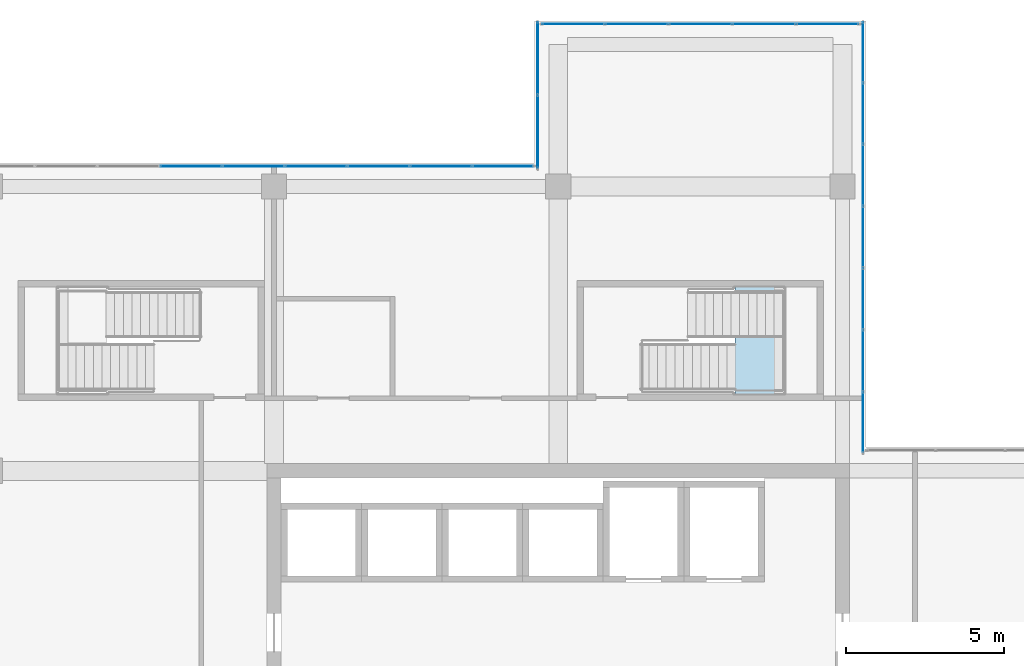
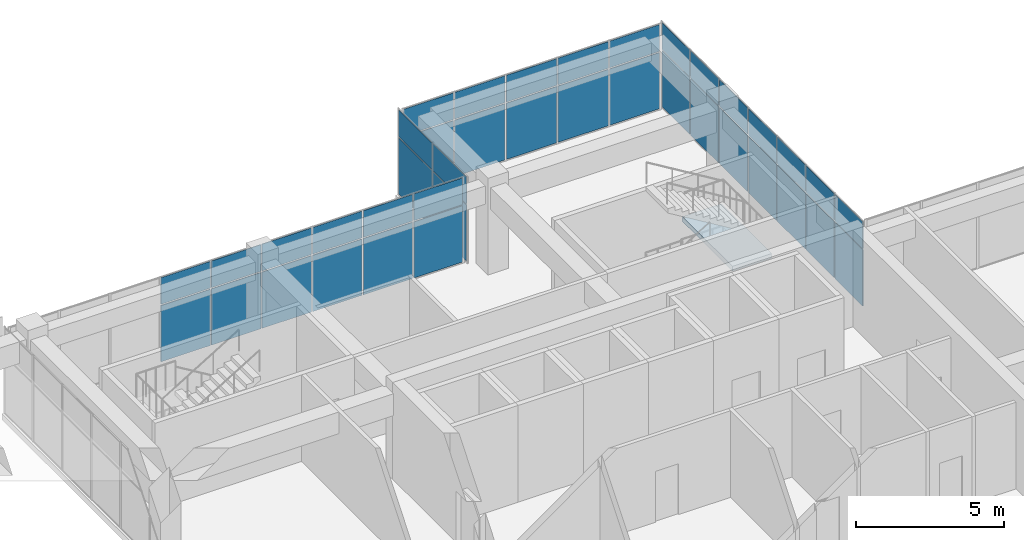
# One storey, part 41 of 52: 40 plates, 1 slab, 5 elements without a shape of their own.
"""IFC4 building model written with IfcOpenShell, lengths in metres."""

from ifc_helpers import new_model, si_unit, direction, frame, origin, origin_2d, place, context, subcontext, project, spatial, polyline, rectangle, outline, extrude, material, layer, layer_set, type_object, element, aggregate, save


model = new_model("IFC4")

# Units and contexts
model_context = context("Model", 3, precision=1e-05, world=origin(), true_north=direction((0.0, 1.0)))
body_context = subcontext(model_context, "Body", "Model", "MODEL_VIEW")
ifc_project = project(units=[si_unit("LENGTHUNIT", "METRE"), si_unit("AREAUNIT", "SQUARE_METRE"), si_unit("VOLUMEUNIT", "CUBIC_METRE"), si_unit("PLANEANGLEUNIT", "RADIAN"), si_unit("MASSUNIT", "GRAM", prefix="KILO")], contexts=[model_context])

# Site, building, storey
site_placement = place(None, origin())
site = spatial("IfcSite", under=ifc_project, at=site_placement, CompositionType="ELEMENT")
building_placement = place(site_placement, origin())
building = spatial("IfcBuilding", under=site, at=building_placement, Name="Tuart Plaza Theatre", CompositionType="ELEMENT")
storey_placement = place(building_placement, frame((0.0, 0.0, 25.5)))
storey = spatial("IfcBuildingStorey", under=building, at=storey_placement, Name="L06", CompositionType="ELEMENT", Elevation=25.5)

# Curtain wall, plates
ifc_material_1 = material(Name="Aluminium and glass", Category="aluminium")
ifc_layer_1 = layer(ifc_material_1, 0.10009765625)
ifc_layer_set_1 = layer_set([ifc_layer_1], Name="CURTAIN WALL 2000 module")
curtain_wall_type = type_object("IfcCurtainWallType", Name="CURTAIN WALL 2000 module", PredefinedType="NOTDEFINED", material=ifc_layer_set_1)
curtain_wall_1_placement = place(storey_placement, origin())
curtain_wall_1 = element("IfcCurtainWall", 1, at=curtain_wall_1_placement, inside=storey, type_object=curtain_wall_type, Name="CW81", PredefinedType="NOTDEFINED")
ifc_material_2 = material(Name="Glass", Category="glass")
ifc_layer_2 = layer(ifc_material_2, 0.028076171875)
ifc_layer_set_2 = layer_set([ifc_layer_2], Name="CURTAIN PANEL double glazed 28")
plate_type = type_object("IfcPlateType", Name="CURTAIN PANEL double glazed 28", PredefinedType="CURTAIN_PANEL", material=ifc_layer_set_2)
plate_1_placement = place(storey_placement, frame((141.64990234375, 84.541015625, 0.0498046875), z_axis=(0.0, 0.0, 1.0), x_axis=(0.0, 1.0, 0.0)))
plate_1 = element("IfcPlate", 2, at=plate_1_placement, type_object=plate_type, Name="CW81 panel 1.1", PredefinedType="CURTAIN_PANEL", context=body_context, shape_type="SweptSolid", body=[
    extrude(rectangle(XDim=1.882080078125, YDim=0.028076171875, at=origin_2d()), origin(), (0.0, 0.0, 1.0), 2.324951171875),
])
plate_2_placement = place(storey_placement, frame((141.64990234375, 84.541015625, 2.425048828125), z_axis=(0.0, 0.0, 1.0), x_axis=(0.0, 1.0, 0.0)))
plate_2 = element("IfcPlate", 3, at=plate_2_placement, type_object=plate_type, Name="CW81 panel 1.2", PredefinedType="CURTAIN_PANEL", context=body_context, shape_type="SweptSolid", body=[
    extrude(rectangle(XDim=1.882080078125, YDim=0.028076171875, at=origin_2d()), origin(), (0.0, 0.0, 1.0), 1.10498046875),
])
plate_3_placement = place(storey_placement, frame((141.64990234375, 86.485595703125, 0.0498046875), z_axis=(0.0, 0.0, 1.0), x_axis=(0.0, 1.0, 0.0)))
plate_3 = element("IfcPlate", 4, at=plate_3_placement, type_object=plate_type, Name="CW81 panel 2.1", PredefinedType="CURTAIN_PANEL", context=body_context, shape_type="SweptSolid", body=[
    extrude(rectangle(XDim=1.9072265625, YDim=0.028076171875, at=origin_2d()), origin(), (0.0, 0.0, 1.0), 2.324951171875),
])
plate_4_placement = place(storey_placement, frame((141.64990234375, 86.485595703125, 2.425048828125), z_axis=(0.0, 0.0, 1.0), x_axis=(0.0, 1.0, 0.0)))
plate_4 = element("IfcPlate", 5, at=plate_4_placement, type_object=plate_type, Name="CW81 panel 2.2", PredefinedType="CURTAIN_PANEL", context=body_context, shape_type="SweptSolid", body=[
    extrude(rectangle(XDim=1.9072265625, YDim=0.028076171875, at=origin_2d()), origin(), (0.0, 0.0, 1.0), 1.10498046875),
])
plate_5_placement = place(storey_placement, frame((141.64990234375, 88.44287109375, 0.0498046875), z_axis=(0.0, 0.0, 1.0), x_axis=(0.0, 1.0, 0.0)))
plate_5 = element("IfcPlate", 6, at=plate_5_placement, type_object=plate_type, Name="CW81 panel 3.1", PredefinedType="CURTAIN_PANEL", context=body_context, shape_type="SweptSolid", body=[
    extrude(rectangle(XDim=1.9072265625, YDim=0.028076171875, at=origin_2d()), origin(), (0.0, 0.0, 1.0), 2.324951171875),
])
plate_6_placement = place(storey_placement, frame((141.64990234375, 88.44287109375, 2.425048828125), z_axis=(0.0, 0.0, 1.0), x_axis=(0.0, 1.0, 0.0)))
plate_6 = element("IfcPlate", 7, at=plate_6_placement, type_object=plate_type, Name="CW81 panel 3.2", PredefinedType="CURTAIN_PANEL", context=body_context, shape_type="SweptSolid", body=[
    extrude(rectangle(XDim=1.9072265625, YDim=0.028076171875, at=origin_2d()), origin(), (0.0, 0.0, 1.0), 1.10498046875),
])
plate_7_placement = place(storey_placement, frame((141.64990234375, 90.39990234375, 0.0498046875), z_axis=(0.0, 0.0, 1.0), x_axis=(0.0, 1.0, 0.0)))
plate_7 = element("IfcPlate", 8, at=plate_7_placement, type_object=plate_type, Name="CW81 panel 4.1", PredefinedType="CURTAIN_PANEL", context=body_context, shape_type="SweptSolid", body=[
    extrude(rectangle(XDim=1.9072265625, YDim=0.028076171875, at=origin_2d()), origin(), (0.0, 0.0, 1.0), 2.324951171875),
])
plate_8_placement = place(storey_placement, frame((141.64990234375, 90.39990234375, 2.425048828125), z_axis=(0.0, 0.0, 1.0), x_axis=(0.0, 1.0, 0.0)))
plate_8 = element("IfcPlate", 9, at=plate_8_placement, type_object=plate_type, Name="CW81 panel 4.2", PredefinedType="CURTAIN_PANEL", context=body_context, shape_type="SweptSolid", body=[
    extrude(rectangle(XDim=1.9072265625, YDim=0.028076171875, at=origin_2d()), origin(), (0.0, 0.0, 1.0), 1.10498046875),
])
plate_9_placement = place(storey_placement, frame((141.64990234375, 92.357177734375, 0.0498046875), z_axis=(0.0, 0.0, 1.0), x_axis=(0.0, 1.0, 0.0)))
plate_9 = element("IfcPlate", 10, at=plate_9_placement, type_object=plate_type, Name="CW81 panel 5.1", PredefinedType="CURTAIN_PANEL", context=body_context, shape_type="SweptSolid", body=[
    extrude(rectangle(XDim=1.9072265625, YDim=0.028076171875, at=origin_2d()), origin(), (0.0, 0.0, 1.0), 2.324951171875),
])
plate_10_placement = place(storey_placement, frame((141.64990234375, 92.357177734375, 2.425048828125), z_axis=(0.0, 0.0, 1.0), x_axis=(0.0, 1.0, 0.0)))
plate_10 = element("IfcPlate", 11, at=plate_10_placement, type_object=plate_type, Name="CW81 panel 5.2", PredefinedType="CURTAIN_PANEL", context=body_context, shape_type="SweptSolid", body=[
    extrude(rectangle(XDim=1.9072265625, YDim=0.028076171875, at=origin_2d()), origin(), (0.0, 0.0, 1.0), 1.10498046875),
])
plate_11_placement = place(storey_placement, frame((141.64990234375, 94.314208984375, 0.0498046875), z_axis=(0.0, 0.0, 1.0), x_axis=(0.0, 1.0, 0.0)))
plate_11 = element("IfcPlate", 12, at=plate_11_placement, type_object=plate_type, Name="CW81 panel 6.1", PredefinedType="CURTAIN_PANEL", context=body_context, shape_type="SweptSolid", body=[
    extrude(rectangle(XDim=1.9072265625, YDim=0.028076171875, at=origin_2d()), origin(), (0.0, 0.0, 1.0), 2.324951171875),
])
plate_12_placement = place(storey_placement, frame((141.64990234375, 94.314208984375, 2.425048828125), z_axis=(0.0, 0.0, 1.0), x_axis=(0.0, 1.0, 0.0)))
plate_12 = element("IfcPlate", 13, at=plate_12_placement, type_object=plate_type, Name="CW81 panel 6.2", PredefinedType="CURTAIN_PANEL", context=body_context, shape_type="SweptSolid", body=[
    extrude(rectangle(XDim=1.9072265625, YDim=0.028076171875, at=origin_2d()), origin(), (0.0, 0.0, 1.0), 1.10498046875),
])
plate_13_placement = place(storey_placement, frame((141.64990234375, 96.259033203125, 0.0498046875), z_axis=(0.0, 0.0, 1.0), x_axis=(0.0, 1.0, 0.0)))
plate_13 = element("IfcPlate", 14, at=plate_13_placement, type_object=plate_type, Name="CW81 panel 7.1", PredefinedType="CURTAIN_PANEL", context=body_context, shape_type="SweptSolid", body=[
    extrude(rectangle(XDim=1.882080078125, YDim=0.028076171875, at=origin_2d()), origin(), (0.0, 0.0, 1.0), 2.324951171875),
])
plate_14_placement = place(storey_placement, frame((141.64990234375, 96.259033203125, 2.425048828125), z_axis=(0.0, 0.0, 1.0), x_axis=(0.0, 1.0, 0.0)))
plate_14 = element("IfcPlate", 15, at=plate_14_placement, type_object=plate_type, Name="CW81 panel 7.2", PredefinedType="CURTAIN_PANEL", context=body_context, shape_type="SweptSolid", body=[
    extrude(rectangle(XDim=1.882080078125, YDim=0.028076171875, at=origin_2d()), origin(), (0.0, 0.0, 1.0), 1.10498046875),
])
aggregate(curtain_wall_1, [plate_1, plate_2, plate_3, plate_4, plate_5, plate_6, plate_7, plate_8, plate_9, plate_10, plate_11, plate_12, plate_13, plate_14])

curtain_wall_2_placement = place(storey_placement, origin())
curtain_wall_2 = element("IfcCurtainWall", 16, at=curtain_wall_2_placement, inside=storey, type_object=curtain_wall_type, Name="CW82", PredefinedType="NOTDEFINED")
plate_15_placement = place(storey_placement, frame((140.527587890625, 97.14990234375, 0.0498046875), z_axis=(0.0, 0.0, 1.0), x_axis=(-1.0, 0.0, 0.0)))
plate_15 = element("IfcPlate", 17, at=plate_15_placement, type_object=plate_type, Name="CW82 panel 1.1", PredefinedType="CURTAIN_PANEL", context=body_context, shape_type="SweptSolid", body=[
    extrude(rectangle(XDim=1.945068359375, YDim=0.028076171875, at=origin_2d()), origin(), (0.0, 0.0, 1.0), 2.324951171875),
])
plate_16_placement = place(storey_placement, frame((140.527587890625, 97.14990234375, 2.425048828125), z_axis=(0.0, 0.0, 1.0), x_axis=(-1.0, 0.0, 0.0)))
plate_16 = element("IfcPlate", 18, at=plate_16_placement, type_object=plate_type, Name="CW82 panel 1.2", PredefinedType="CURTAIN_PANEL", context=body_context, shape_type="SweptSolid", body=[
    extrude(rectangle(XDim=1.945068359375, YDim=0.028076171875, at=origin_2d()), origin(), (0.0, 0.0, 1.0), 1.10498046875),
])
plate_17_placement = place(storey_placement, frame((138.52001953125, 97.14990234375, 0.0498046875), z_axis=(0.0, 0.0, 1.0), x_axis=(-1.0, 0.0, 0.0)))
plate_17 = element("IfcPlate", 19, at=plate_17_placement, type_object=plate_type, Name="CW82 panel 2.1", PredefinedType="CURTAIN_PANEL", context=body_context, shape_type="SweptSolid", body=[
    extrude(rectangle(XDim=1.969970703125, YDim=0.028076171875, at=origin_2d()), origin(), (0.0, 0.0, 1.0), 2.324951171875),
])
plate_18_placement = place(storey_placement, frame((138.52001953125, 97.14990234375, 2.425048828125), z_axis=(0.0, 0.0, 1.0), x_axis=(-1.0, 0.0, 0.0)))
plate_18 = element("IfcPlate", 20, at=plate_18_placement, type_object=plate_type, Name="CW82 panel 2.2", PredefinedType="CURTAIN_PANEL", context=body_context, shape_type="SweptSolid", body=[
    extrude(rectangle(XDim=1.969970703125, YDim=0.028076171875, at=origin_2d()), origin(), (0.0, 0.0, 1.0), 1.10498046875),
])
plate_19_placement = place(storey_placement, frame((136.5, 97.14990234375, 0.0498046875), z_axis=(0.0, 0.0, 1.0), x_axis=(-1.0, 0.0, 0.0)))
plate_19 = element("IfcPlate", 21, at=plate_19_placement, type_object=plate_type, Name="CW82 panel 3.1", PredefinedType="CURTAIN_PANEL", context=body_context, shape_type="SweptSolid", body=[
    extrude(rectangle(XDim=1.969970703125, YDim=0.028076171875, at=origin_2d()), origin(), (0.0, 0.0, 1.0), 2.324951171875),
])
plate_20_placement = place(storey_placement, frame((136.5, 97.14990234375, 2.425048828125), z_axis=(0.0, 0.0, 1.0), x_axis=(-1.0, 0.0, 0.0)))
plate_20 = element("IfcPlate", 22, at=plate_20_placement, type_object=plate_type, Name="CW82 panel 3.2", PredefinedType="CURTAIN_PANEL", context=body_context, shape_type="SweptSolid", body=[
    extrude(rectangle(XDim=1.969970703125, YDim=0.028076171875, at=origin_2d()), origin(), (0.0, 0.0, 1.0), 1.10498046875),
])
plate_21_placement = place(storey_placement, frame((134.47998046875, 97.14990234375, 0.0498046875), z_axis=(0.0, 0.0, 1.0), x_axis=(-1.0, 0.0, 0.0)))
plate_21 = element("IfcPlate", 23, at=plate_21_placement, type_object=plate_type, Name="CW82 panel 4.1", PredefinedType="CURTAIN_PANEL", context=body_context, shape_type="SweptSolid", body=[
    extrude(rectangle(XDim=1.969970703125, YDim=0.028076171875, at=origin_2d()), origin(), (0.0, 0.0, 1.0), 2.324951171875),
])
plate_22_placement = place(storey_placement, frame((134.47998046875, 97.14990234375, 2.425048828125), z_axis=(0.0, 0.0, 1.0), x_axis=(-1.0, 0.0, 0.0)))
plate_22 = element("IfcPlate", 24, at=plate_22_placement, type_object=plate_type, Name="CW82 panel 4.2", PredefinedType="CURTAIN_PANEL", context=body_context, shape_type="SweptSolid", body=[
    extrude(rectangle(XDim=1.969970703125, YDim=0.028076171875, at=origin_2d()), origin(), (0.0, 0.0, 1.0), 1.10498046875),
])
plate_23_placement = place(storey_placement, frame((132.472412109375, 97.14990234375, 0.0498046875), z_axis=(0.0, 0.0, 1.0), x_axis=(-1.0, 0.0, 0.0)))
plate_23 = element("IfcPlate", 25, at=plate_23_placement, type_object=plate_type, Name="CW82 panel 5.1", PredefinedType="CURTAIN_PANEL", context=body_context, shape_type="SweptSolid", body=[
    extrude(rectangle(XDim=1.945068359375, YDim=0.028076171875, at=origin_2d()), origin(), (0.0, 0.0, 1.0), 2.324951171875),
])
plate_24_placement = place(storey_placement, frame((132.472412109375, 97.14990234375, 2.425048828125), z_axis=(0.0, 0.0, 1.0), x_axis=(-1.0, 0.0, 0.0)))
plate_24 = element("IfcPlate", 26, at=plate_24_placement, type_object=plate_type, Name="CW82 panel 5.2", PredefinedType="CURTAIN_PANEL", context=body_context, shape_type="SweptSolid", body=[
    extrude(rectangle(XDim=1.945068359375, YDim=0.028076171875, at=origin_2d()), origin(), (0.0, 0.0, 1.0), 1.10498046875),
])
aggregate(curtain_wall_2, [plate_15, plate_16, plate_17, plate_18, plate_19, plate_20, plate_21, plate_22, plate_23, plate_24])

curtain_wall_3_placement = place(storey_placement, origin())
curtain_wall_3 = element("IfcCurtainWall", 27, at=curtain_wall_3_placement, inside=storey, type_object=curtain_wall_type, Name="CW83", PredefinedType="NOTDEFINED")
plate_25_placement = place(storey_placement, frame((131.35009765625, 96.0625, 0.0498046875), z_axis=(0.0, 0.0, 1.0), x_axis=(0.0, -1.0, 0.0)))
plate_25 = element("IfcPlate", 28, at=plate_25_placement, type_object=plate_type, Name="CW83 panel 1.1", PredefinedType="CURTAIN_PANEL", context=body_context, shape_type="SweptSolid", body=[
    extrude(rectangle(XDim=2.27490234375, YDim=0.028076171875, at=origin_2d()), origin(), (0.0, 0.0, 1.0), 2.324951171875),
])
plate_26_placement = place(storey_placement, frame((131.35009765625, 96.0625, 2.425048828125), z_axis=(0.0, 0.0, 1.0), x_axis=(0.0, -1.0, 0.0)))
plate_26 = element("IfcPlate", 29, at=plate_26_placement, type_object=plate_type, Name="CW83 panel 1.2", PredefinedType="CURTAIN_PANEL", context=body_context, shape_type="SweptSolid", body=[
    extrude(rectangle(XDim=2.27490234375, YDim=0.028076171875, at=origin_2d()), origin(), (0.0, 0.0, 1.0), 1.10498046875),
])
plate_27_placement = place(storey_placement, frame((131.35009765625, 93.737548828125, 0.0498046875), z_axis=(0.0, 0.0, 1.0), x_axis=(0.0, -1.0, 0.0)))
plate_27 = element("IfcPlate", 30, at=plate_27_placement, type_object=plate_type, Name="CW83 panel 2.1", PredefinedType="CURTAIN_PANEL", context=body_context, shape_type="SweptSolid", body=[
    extrude(rectangle(XDim=2.27490234375, YDim=0.028076171875, at=origin_2d()), origin(), (0.0, 0.0, 1.0), 2.324951171875),
])
plate_28_placement = place(storey_placement, frame((131.35009765625, 93.737548828125, 2.425048828125), z_axis=(0.0, 0.0, 1.0), x_axis=(0.0, -1.0, 0.0)))
plate_28 = element("IfcPlate", 31, at=plate_28_placement, type_object=plate_type, Name="CW83 panel 2.2", PredefinedType="CURTAIN_PANEL", context=body_context, shape_type="SweptSolid", body=[
    extrude(rectangle(XDim=2.27490234375, YDim=0.028076171875, at=origin_2d()), origin(), (0.0, 0.0, 1.0), 1.10498046875),
])
aggregate(curtain_wall_3, [plate_25, plate_26, plate_27, plate_28])

curtain_wall_4_placement = place(storey_placement, origin())
curtain_wall_4 = element("IfcCurtainWall", 32, at=curtain_wall_4_placement, inside=storey, type_object=curtain_wall_type, Name="CW84", PredefinedType="NOTDEFINED")
plate_29_placement = place(storey_placement, frame((130.24853515625, 92.64990234375, 0.0498046875), z_axis=(0.0, 0.0, 1.0), x_axis=(-1.0, 0.0, 0.0)))
plate_29 = element("IfcPlate", 33, at=plate_29_placement, type_object=plate_type, Name="CW84 panel 1.1", PredefinedType="CURTAIN_PANEL", context=body_context, shape_type="SweptSolid", body=[
    extrude(rectangle(XDim=1.90283203125, YDim=0.028076171875, at=origin_2d()), origin(), (0.0, 0.0, 1.0), 2.324951171875),
])
plate_30_placement = place(storey_placement, frame((130.24853515625, 92.64990234375, 2.425048828125), z_axis=(0.0, 0.0, 1.0), x_axis=(-1.0, 0.0, 0.0)))
plate_30 = element("IfcPlate", 34, at=plate_30_placement, type_object=plate_type, Name="CW84 panel 1.2", PredefinedType="CURTAIN_PANEL", context=body_context, shape_type="SweptSolid", body=[
    extrude(rectangle(XDim=1.90283203125, YDim=0.028076171875, at=origin_2d()), origin(), (0.0, 0.0, 1.0), 1.10498046875),
])
plate_31_placement = place(storey_placement, frame((128.283447265625, 92.64990234375, 0.0498046875), z_axis=(0.0, 0.0, 1.0), x_axis=(-1.0, 0.0, 0.0)))
plate_31 = element("IfcPlate", 35, at=plate_31_placement, type_object=plate_type, Name="CW84 panel 2.1", PredefinedType="CURTAIN_PANEL", context=body_context, shape_type="SweptSolid", body=[
    extrude(rectangle(XDim=1.927734375, YDim=0.028076171875, at=origin_2d()), origin(), (0.0, 0.0, 1.0), 2.324951171875),
])
plate_32_placement = place(storey_placement, frame((128.283447265625, 92.64990234375, 2.425048828125), z_axis=(0.0, 0.0, 1.0), x_axis=(-1.0, 0.0, 0.0)))
plate_32 = element("IfcPlate", 36, at=plate_32_placement, type_object=plate_type, Name="CW84 panel 2.2", PredefinedType="CURTAIN_PANEL", context=body_context, shape_type="SweptSolid", body=[
    extrude(rectangle(XDim=1.927734375, YDim=0.028076171875, at=origin_2d()), origin(), (0.0, 0.0, 1.0), 1.10498046875),
])
plate_33_placement = place(storey_placement, frame((126.3056640625, 92.64990234375, 0.0498046875), z_axis=(0.0, 0.0, 1.0), x_axis=(-1.0, 0.0, 0.0)))
plate_33 = element("IfcPlate", 37, at=plate_33_placement, type_object=plate_type, Name="CW84 panel 3.1", PredefinedType="CURTAIN_PANEL", context=body_context, shape_type="SweptSolid", body=[
    extrude(rectangle(XDim=1.927734375, YDim=0.028076171875, at=origin_2d()), origin(), (0.0, 0.0, 1.0), 2.324951171875),
])
plate_34_placement = place(storey_placement, frame((126.3056640625, 92.64990234375, 2.425048828125), z_axis=(0.0, 0.0, 1.0), x_axis=(-1.0, 0.0, 0.0)))
plate_34 = element("IfcPlate", 38, at=plate_34_placement, type_object=plate_type, Name="CW84 panel 3.2", PredefinedType="CURTAIN_PANEL", context=body_context, shape_type="SweptSolid", body=[
    extrude(rectangle(XDim=1.927734375, YDim=0.028076171875, at=origin_2d()), origin(), (0.0, 0.0, 1.0), 1.10498046875),
])
plate_35_placement = place(storey_placement, frame((124.327880859375, 92.64990234375, 0.0498046875), z_axis=(0.0, 0.0, 1.0), x_axis=(-1.0, 0.0, 0.0)))
plate_35 = element("IfcPlate", 39, at=plate_35_placement, type_object=plate_type, Name="CW84 panel 4.1", PredefinedType="CURTAIN_PANEL", context=body_context, shape_type="SweptSolid", body=[
    extrude(rectangle(XDim=1.927734375, YDim=0.028076171875, at=origin_2d()), origin(), (0.0, 0.0, 1.0), 2.324951171875),
])
plate_36_placement = place(storey_placement, frame((124.327880859375, 92.64990234375, 2.425048828125), z_axis=(0.0, 0.0, 1.0), x_axis=(-1.0, 0.0, 0.0)))
plate_36 = element("IfcPlate", 40, at=plate_36_placement, type_object=plate_type, Name="CW84 panel 4.2", PredefinedType="CURTAIN_PANEL", context=body_context, shape_type="SweptSolid", body=[
    extrude(rectangle(XDim=1.927734375, YDim=0.028076171875, at=origin_2d()), origin(), (0.0, 0.0, 1.0), 1.10498046875),
])
plate_37_placement = place(storey_placement, frame((122.35009765625, 92.64990234375, 0.0498046875), z_axis=(0.0, 0.0, 1.0), x_axis=(-1.0, 0.0, 0.0)))
plate_37 = element("IfcPlate", 41, at=plate_37_placement, type_object=plate_type, Name="CW84 panel 5.1", PredefinedType="CURTAIN_PANEL", context=body_context, shape_type="SweptSolid", body=[
    extrude(rectangle(XDim=1.927734375, YDim=0.028076171875, at=origin_2d()), origin(), (0.0, 0.0, 1.0), 2.324951171875),
])
plate_38_placement = place(storey_placement, frame((122.35009765625, 92.64990234375, 2.425048828125), z_axis=(0.0, 0.0, 1.0), x_axis=(-1.0, 0.0, 0.0)))
plate_38 = element("IfcPlate", 42, at=plate_38_placement, type_object=plate_type, Name="CW84 panel 5.2", PredefinedType="CURTAIN_PANEL", context=body_context, shape_type="SweptSolid", body=[
    extrude(rectangle(XDim=1.927734375, YDim=0.028076171875, at=origin_2d()), origin(), (0.0, 0.0, 1.0), 1.10498046875),
])
plate_39_placement = place(storey_placement, frame((120.372314453125, 92.64990234375, 0.0498046875), z_axis=(0.0, 0.0, 1.0), x_axis=(-1.0, 0.0, 0.0)))
plate_39 = element("IfcPlate", 43, at=plate_39_placement, type_object=plate_type, Name="CW84 panel 6.1", PredefinedType="CURTAIN_PANEL", context=body_context, shape_type="SweptSolid", body=[
    extrude(rectangle(XDim=1.927734375, YDim=0.028076171875, at=origin_2d()), origin(), (0.0, 0.0, 1.0), 2.324951171875),
])
plate_40_placement = place(storey_placement, frame((120.372314453125, 92.64990234375, 2.425048828125), z_axis=(0.0, 0.0, 1.0), x_axis=(-1.0, 0.0, 0.0)))
plate_40 = element("IfcPlate", 44, at=plate_40_placement, type_object=plate_type, Name="CW84 panel 6.2", PredefinedType="CURTAIN_PANEL", context=body_context, shape_type="SweptSolid", body=[
    extrude(rectangle(XDim=1.927734375, YDim=0.028076171875, at=origin_2d()), origin(), (0.0, 0.0, 1.0), 1.10498046875),
])
aggregate(curtain_wall_4, [plate_29, plate_30, plate_31, plate_32, plate_33, plate_34, plate_35, plate_36, plate_37, plate_38, plate_39, plate_40])

# Stair, slab
ifc_material_3 = material(Name="Concrete N40 (40 MPa)", Category="concrete")
stair_type = type_object("IfcStairType", Name="STAIR half turn 1500", PredefinedType="HALF_TURN_STAIR", material=ifc_material_3)
stair_placement = place(storey_placement, origin())
stair = element("IfcStair", 45, at=stair_placement, inside=storey, type_object=stair_type, Name="SC-9", PredefinedType="HALF_TURN_STAIR")
ifc_material_4 = material(Name="Concrete N40 (40 MPa)", Category="concrete")
ifc_layer_3 = layer(ifc_material_4, 0.199951171875)
ifc_layer_set_3 = layer_set([ifc_layer_3], Name="STAIR LANDING 200")
slab_type = type_object("IfcSlabType", Name="STAIR LANDING 200", PredefinedType="LANDING", material=ifc_layer_set_3)
slab_placement = place(storey_placement, frame((0.0, 0.0, 1.800048828125)))
slab = element("IfcSlab", 46, at=slab_placement, type_object=slab_type, Name="SC-9 landing 1", PredefinedType="LANDING", context=body_context, shape_type="SweptSolid", body=[
    extrude(outline(polyline([(137.60009765625, 85.427001953125), (139.1298828125, 85.427001953125), (139.1298828125, 88.822998046875), (137.60009765625, 88.822998046875), (137.60009765625, 85.427001953125)])), origin(), (0.0, 0.0, 1.0), 0.199951171875),
])
aggregate(stair, [slab])

save(model, "model.ifc")
